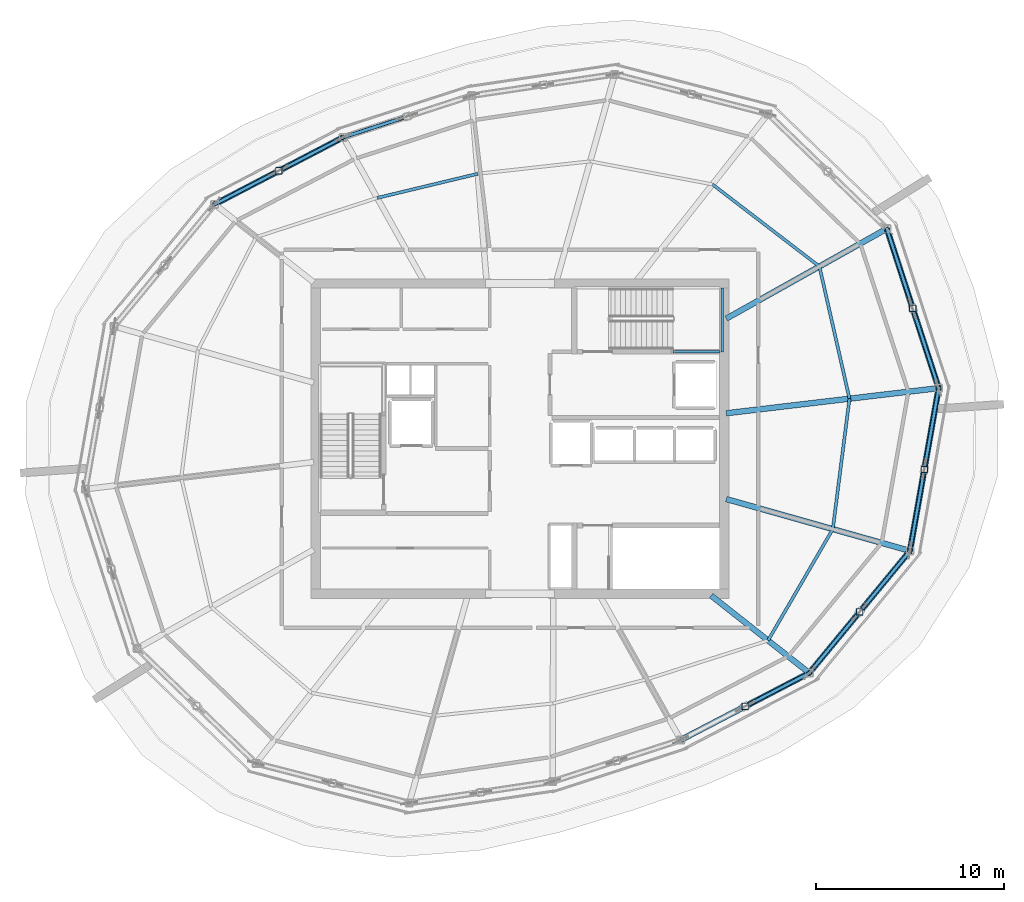
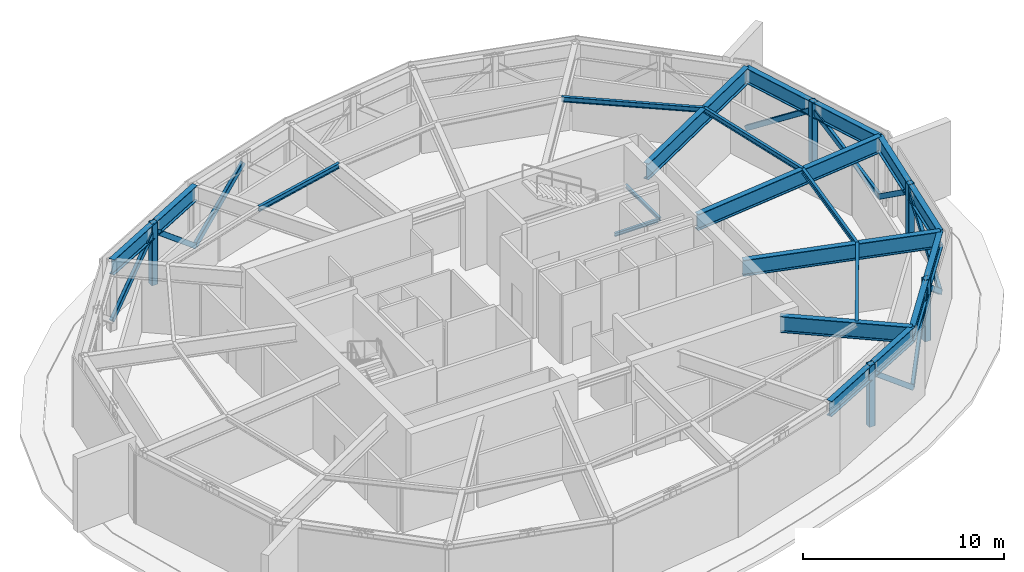
# One storey, part 6 of 14: 16 beams, 15 members.
"""IFC4 building model written with IfcOpenShell, lengths in metres."""

from ifc_helpers import new_model, si_unit, direction, frame, origin, origin_2d, place, context, subcontext, project, spatial, hollow_rectangle, i_section, extrude, material, material_profile, profile_set, type_object, element, save


model = new_model("IFC4")

# Units and contexts
model_context = context("Model", 3, precision=1e-05, world=origin(), true_north=direction((0.0, 1.0)))
body_context = subcontext(model_context, "Body", "Model", "MODEL_VIEW")
ifc_project = project(units=[si_unit("LENGTHUNIT", "METRE"), si_unit("AREAUNIT", "SQUARE_METRE"), si_unit("VOLUMEUNIT", "CUBIC_METRE"), si_unit("PLANEANGLEUNIT", "RADIAN"), si_unit("MASSUNIT", "GRAM", prefix="KILO")], contexts=[model_context])

# Site, building, storey
site_placement = place(None, origin())
site = spatial("IfcSite", under=ifc_project, at=site_placement, CompositionType="ELEMENT")
building_placement = place(site_placement, origin())
building = spatial("IfcBuilding", under=site, at=building_placement, Name="Kazma Halo Residences", CompositionType="ELEMENT")
storey_placement = place(building_placement, frame((0.0, 0.0, 351.5)))
storey = spatial("IfcBuildingStorey", under=building, at=storey_placement, Name="L88", CompositionType="ELEMENT", Elevation=351.5)

# Beams
ifc_material = material(Name="Steel S355", Category="steel")
ifc_material_profile_1 = material_profile(ifc_material, i_section(OverallWidth=0.30908203125, OverallDepth=0.931884765625, WebThickness=0.02099609375, FlangeThickness=0.034423828125, FilletRadius=0.02392578125, at=origin_2d()), Name="W920x313")
ifc_profile_set_1 = profile_set([ifc_material_profile_1], Name="Steel S355")
beam_type_1 = type_object("IfcBeamType", Name="BM-BELT-W920A", PredefinedType="BEAM", material=ifc_profile_set_1)
for number, where, z_axis, x_axis, name in (
    (1, (39.0234375, 58.02880859375, 3.75390625), (-0.886940838721, -0.461883046461, 0.0), (0.461883046461, -0.886940838721, 0.0), "L88 perimeter ring beam 05"),
    (2, (56.9765625, 25.97119140625, 3.75390625), (0.886940838721, 0.461883046461, 0.0), (-0.461883046461, 0.886940838721, 0.0), "L88 perimeter ring beam 13"),
):
    element("IfcBeam", number, at=place(storey_placement, frame(where, z_axis=z_axis, x_axis=x_axis)), inside=storey, type_object=beam_type_1, Name=name, PredefinedType="BEAM", context=body_context, shape_type="SweptSolid", body=[
        extrude(i_section(OverallWidth=0.30908203125, OverallDepth=0.931884765625, WebThickness=0.02099609375, FlangeThickness=0.034423828125, FilletRadius=0.02392578125, at=origin_2d()), origin(), (0.0, 0.0, 1.0), 7.71044921875),
    ])
beam_1_placement = place(storey_placement, frame((63.815185546875, 29.532470703125, 3.75390625), z_axis=(0.636005014199, 0.77168492399, 0.0), x_axis=(-0.77168492399, 0.636005014199, 0.0)))
element("IfcBeam", 3, at=beam_1_placement, inside=storey, type_object=beam_type_1, Name="L88 perimeter ring beam 14", PredefinedType="BEAM", context=body_context, shape_type="SweptSolid", body=[
    extrude(i_section(OverallWidth=0.30908203125, OverallDepth=0.931884765625, WebThickness=0.02099609375, FlangeThickness=0.034423828125, FilletRadius=0.02392578125, at=origin_2d()), origin(), (0.0, 0.0, 1.0), 8.41943359375),
])
beam_2_placement = place(storey_placement, frame((69.169921875, 36.029541015625, 3.75390625), z_axis=(0.173642734291, 0.984808712811, 0.0), x_axis=(-0.984808712811, 0.173642734291, 0.0)))
element("IfcBeam", 4, at=beam_2_placement, inside=storey, type_object=beam_type_1, Name="L88 perimeter ring beam 15", PredefinedType="BEAM", context=body_context, shape_type="SweptSolid", body=[
    extrude(i_section(OverallWidth=0.30908203125, OverallDepth=0.931884765625, WebThickness=0.02099609375, FlangeThickness=0.034423828125, FilletRadius=0.02392578125, at=origin_2d()), origin(), (0.0, 0.0, 1.0), 8.790283203125),
])
beam_3_placement = place(storey_placement, frame((70.6962890625, 44.686279296875, 3.75390625), z_axis=(-0.309015498459, 0.951057002346, 0.0), x_axis=(-0.951057002346, -0.309015498459, 0.0)))
element("IfcBeam", 5, at=beam_3_placement, inside=storey, type_object=beam_type_1, Name="L88 perimeter ring beam 16", PredefinedType="BEAM", context=body_context, shape_type="SweptSolid", body=[
    extrude(i_section(OverallWidth=0.30908203125, OverallDepth=0.931884765625, WebThickness=0.02099609375, FlangeThickness=0.034423828125, FilletRadius=0.02392578125, at=origin_2d()), origin(), (0.0, 0.0, 1.0), 8.91748046875),
])
ifc_material_profile_2 = material_profile(ifc_material, i_section(OverallWidth=0.300048828125, OverallDepth=0.98193359375, WebThickness=0.0166015625, FlangeThickness=0.032958984375, FilletRadius=0.02587890625, at=origin_2d()), Name="W1000x296")
ifc_profile_set_2 = profile_set([ifc_material_profile_2], Name="Steel S355")
beam_type_2 = type_object("IfcBeamType", Name="BM-OUTR-W1000C", PredefinedType="BEAM", material=ifc_profile_set_2)
beam_4_placement = place(storey_placement, frame((59.39990234375, 48.38427734375, 3.72900390625), z_axis=(0.872500487018, 0.488613241894, 0.0), x_axis=(-0.488613241894, 0.872500487018, 0.0)))
element("IfcBeam", 6, at=beam_4_placement, inside=storey, type_object=beam_type_2, Name="L88 radial floor beam 01", PredefinedType="BEAM", context=body_context, shape_type="SweptSolid", body=[
    extrude(i_section(OverallWidth=0.300048828125, OverallDepth=0.98193359375, WebThickness=0.0166015625, FlangeThickness=0.032958984375, FilletRadius=0.02587890625, at=origin_2d()), origin(), (0.0, 0.0, 1.0), 9.788818359375),
])
beam_5_placement = place(storey_placement, frame((58.591796875, 33.64990234375, 3.72900390625), z_axis=(0.785342950436, -0.619060942234, 0.0), x_axis=(0.619060942234, 0.785342950436, 0.0)))
element("IfcBeam", 7, at=beam_5_placement, inside=storey, type_object=beam_type_2, Name="L88 radial floor beam 14", PredefinedType="BEAM", context=body_context, shape_type="SweptSolid", body=[
    extrude(i_section(OverallWidth=0.300048828125, OverallDepth=0.98193359375, WebThickness=0.0166015625, FlangeThickness=0.032958984375, FilletRadius=0.02587890625, at=origin_2d()), origin(), (0.0, 0.0, 1.0), 6.651123046875),
])
beam_6_placement = place(storey_placement, frame((59.39990234375, 38.784912109375, 3.72900390625), z_axis=(0.962456764872, -0.271435030445, 0.0), x_axis=(0.271435030445, 0.962456764872, 0.0)))
element("IfcBeam", 8, at=beam_6_placement, inside=storey, type_object=beam_type_2, Name="L88 radial floor beam 15", PredefinedType="BEAM", context=body_context, shape_type="SweptSolid", body=[
    extrude(i_section(OverallWidth=0.300048828125, OverallDepth=0.98193359375, WebThickness=0.0166015625, FlangeThickness=0.032958984375, FilletRadius=0.02587890625, at=origin_2d()), origin(), (0.0, 0.0, 1.0), 10.151123046875),
])
beam_7_placement = place(storey_placement, frame((59.39990234375, 43.349365234375, 3.72900390625), z_axis=(0.993069497533, 0.117528605327, 0.0), x_axis=(-0.117528605327, 0.993069497533, 0.0)))
element("IfcBeam", 9, at=beam_7_placement, inside=storey, type_object=beam_type_2, Name="L88 radial floor beam 16", PredefinedType="BEAM", context=body_context, shape_type="SweptSolid", body=[
    extrude(i_section(OverallWidth=0.300048828125, OverallDepth=0.98193359375, WebThickness=0.0166015625, FlangeThickness=0.032958984375, FilletRadius=0.02587890625, at=origin_2d()), origin(), (0.0, 0.0, 1.0), 11.375244140625),
])
ifc_material_profile_3 = material_profile(ifc_material, i_section(OverallWidth=0.1650390625, OverallDepth=0.31005859375, WebThickness=0.005859375, FlangeThickness=0.009765625, FilletRadius=0.011962890625, at=origin_2d()), Name="W310x38.7")
ifc_profile_set_3 = profile_set([ifc_material_profile_3], Name="Steel S355")
beam_type_3 = type_object("IfcBeamType", Name="BM-SEC-W310B", PredefinedType="JOIST", material=ifc_profile_set_3)
beam_8_placement = place(storey_placement, frame((64.353515625, 51.158447265625, 4.06494140625), z_axis=(-0.793314295729, 0.608812309494, 0.0), x_axis=(-0.608812309494, -0.793314295729, 0.0)))
element("IfcBeam", 10, at=beam_8_placement, inside=storey, type_object=beam_type_3, Name="L88 circumferential floor joist 01", PredefinedType="JOIST", context=body_context, shape_type="SweptSolid", body=[
    extrude(i_section(OverallWidth=0.1650390625, OverallDepth=0.31005859375, WebThickness=0.005859375, FlangeThickness=0.009765625, FilletRadius=0.011962890625, at=origin_2d()), origin(), (0.0, 0.0, 1.0), 7.17333984375),
])
beam_9_placement = place(storey_placement, frame((46.1806640625, 56.08837890625, 4.06494140625), z_axis=(-0.972370386067, -0.233443424194, 0.0), x_axis=(0.233443424194, -0.972370386067, 0.0)))
element("IfcBeam", 11, at=beam_9_placement, inside=storey, type_object=beam_type_3, Name="L88 circumferential floor joist 04", PredefinedType="JOIST", context=body_context, shape_type="SweptSolid", body=[
    extrude(i_section(OverallWidth=0.1650390625, OverallDepth=0.31005859375, WebThickness=0.005859375, FlangeThickness=0.009765625, FilletRadius=0.011962890625, at=origin_2d()), origin(), (0.0, 0.0, 1.0), 5.503173828125),
])
beam_10_placement = place(storey_placement, frame((61.621337890625, 31.26171875, 4.06494140625), z_axis=(0.502650174973, 0.864489908327, 0.0), x_axis=(-0.864489908327, 0.502650174973, 0.0)))
element("IfcBeam", 12, at=beam_10_placement, inside=storey, type_object=beam_type_3, Name="L88 circumferential floor joist 14", PredefinedType="JOIST", context=body_context, shape_type="SweptSolid", body=[
    extrude(i_section(OverallWidth=0.1650390625, OverallDepth=0.31005859375, WebThickness=0.005859375, FlangeThickness=0.009765625, FilletRadius=0.011962890625, at=origin_2d()), origin(), (0.0, 0.0, 1.0), 6.853759765625),
])
beam_11_placement = place(storey_placement, frame((65.06640625, 37.186767578125, 4.06494140625), z_axis=(0.126603386769, 0.991953417484, 0.0), x_axis=(-0.991953417484, 0.126603386769, 0.0)))
element("IfcBeam", 13, at=beam_11_placement, inside=storey, type_object=beam_type_3, Name="L88 circumferential floor joist 15", PredefinedType="JOIST", context=body_context, shape_type="SweptSolid", body=[
    extrude(i_section(OverallWidth=0.1650390625, OverallDepth=0.31005859375, WebThickness=0.005859375, FlangeThickness=0.009765625, FilletRadius=0.011962890625, at=origin_2d()), origin(), (0.0, 0.0, 1.0), 6.994384765625),
])
beam_12_placement = place(storey_placement, frame((65.951904296875, 44.124755859375, 4.06494140625), z_axis=(-0.221597696416, 0.975138175308, 0.0), x_axis=(-0.975138175308, -0.221597696416, 0.0)))
element("IfcBeam", 14, at=beam_12_placement, inside=storey, type_object=beam_type_3, Name="L88 circumferential floor joist 16", PredefinedType="JOIST", context=body_context, shape_type="SweptSolid", body=[
    extrude(i_section(OverallWidth=0.1650390625, OverallDepth=0.31005859375, WebThickness=0.005859375, FlangeThickness=0.009765625, FilletRadius=0.011962890625, at=origin_2d()), origin(), (0.0, 0.0, 1.0), 7.213134765625),
])
ifc_material_profile_4 = material_profile(ifc_material, i_section(OverallWidth=0.133056640625, OverallDepth=0.20703125, WebThickness=0.005859375, FlangeThickness=0.00830078125, FilletRadius=0.010009765625, at=origin_2d()), Name="W200x26.6")
ifc_profile_set_4 = profile_set([ifc_material_profile_4], Name="Steel S355")
beam_type_4 = type_object("IfcBeamType", Name="BM-TRIM-W200", PredefinedType="BEAM", material=ifc_profile_set_4)
beam_13_placement = place(storey_placement, frame((56.56005859375, 46.6201171875, 1.945068359375), z_axis=(1.0, 0.0, 0.0), x_axis=(0.0, 1.0, 0.0)))
element("IfcBeam", 15, at=beam_13_placement, inside=storey, type_object=beam_type_4, Name="L88 ST-02 landing south wall ledger", PredefinedType="BEAM", context=body_context, shape_type="SweptSolid", body=[
    extrude(i_section(OverallWidth=0.133056640625, OverallDepth=0.20703125, WebThickness=0.005859375, FlangeThickness=0.00830078125, FilletRadius=0.010009765625, at=origin_2d()), origin(), (0.0, 0.0, 1.0), 2.510009765625),
])
beam_14_placement = place(storey_placement, frame((59.18994140625, 46.6201171875, 1.945068359375), z_axis=(0.0, 1.0, 0.0), x_axis=(-1.0, 0.0, 0.0)))
element("IfcBeam", 16, at=beam_14_placement, inside=storey, type_object=beam_type_4, Name="L88 ST-02 landing end wall ledger", PredefinedType="BEAM", context=body_context, shape_type="SweptSolid", body=[
    extrude(i_section(OverallWidth=0.133056640625, OverallDepth=0.20703125, WebThickness=0.005859375, FlangeThickness=0.00830078125, FilletRadius=0.010009765625, at=origin_2d()), origin(), (0.0, 0.0, 1.0), 3.39990234375),
])

# Members
ifc_material_profile_5 = material_profile(ifc_material, hollow_rectangle(XDim=0.199951171875, YDim=0.300048828125, WallThickness=0.012451171875, InnerFilletRadius=0.012451171875, OuterFilletRadius=0.02490234375, at=origin_2d()), Name="RHS300x200x12.5")
ifc_profile_set_5 = profile_set([ifc_material_profile_5], Name="Steel S355")
member_type_1 = type_object("IfcMemberType", Name="MBR-BELT-RHS300", PredefinedType="BRACE", material=ifc_profile_set_5)
member_1_placement = place(storey_placement, frame((39.0234375, 58.02880859375, 0.47998046875), z_axis=(0.707481082682, 0.229847743235, 0.668311703158), x_axis=(-0.308984413026, 0.951067102, 0.0)))
element("IfcMember", 17, at=member_1_placement, inside=storey, type_object=member_type_1, Name="L88 belt-truss chevron diagonal 04B", PredefinedType="BRACE", context=body_context, shape_type="SweptSolid", body=[
    extrude(hollow_rectangle(XDim=0.199951171875, YDim=0.300048828125, WallThickness=0.012451171875, InnerFilletRadius=0.012451171875, OuterFilletRadius=0.02490234375, at=origin_2d()), origin(), (0.0, 0.0, 1.0), 4.818115234375),
])
for number, where, z_axis, x_axis, name in (
    (18, (39.0234375, 58.02880859375, 0.47998046875), (-0.680711346103, -0.354523995607, 0.641049763923), (0.46192092707, -0.886921110998, 0.0), "L88 belt-truss chevron diagonal 05A"),
    (19, (32.184814453125, 54.467529296875, 0.47998046875), (0.680749156661, 0.354469770065, 0.641039599257), (-0.461845166029, 0.886960564295, 0.0), "L88 belt-truss chevron diagonal 05B"),
):
    element("IfcMember", number, at=place(storey_placement, frame(where, z_axis=z_axis, x_axis=x_axis)), inside=storey, type_object=member_type_1, Name=name, PredefinedType="BRACE", context=body_context, shape_type="SweptSolid", body=[
        extrude(hollow_rectangle(XDim=0.199951171875, YDim=0.300048828125, WallThickness=0.012451171875, InnerFilletRadius=0.012451171875, OuterFilletRadius=0.02490234375, at=origin_2d()), origin(), (0.0, 0.0, 1.0), 5.02294921875),
    ])
member_2_placement = place(storey_placement, frame((63.815185546875, 29.532470703125, 0.47998046875), z_axis=(-0.680737427745, -0.354512266027, 0.641028554515), x_axis=(0.46189498328, -0.886934622405, 0.0)))
element("IfcMember", 20, at=member_2_placement, inside=storey, type_object=member_type_1, Name="L88 belt-truss chevron diagonal 13B", PredefinedType="BRACE", context=body_context, shape_type="SweptSolid", body=[
    extrude(hollow_rectangle(XDim=0.199951171875, YDim=0.300048828125, WallThickness=0.012451171875, InnerFilletRadius=0.012451171875, OuterFilletRadius=0.02490234375, at=origin_2d()), origin(), (0.0, 0.0, 1.0), 5.023193359375),
])
member_3_placement = place(storey_placement, frame((63.815185546875, 29.532470703125, 0.47998046875), z_axis=(0.505151215091, 0.612943832573, 0.607554201699), x_axis=(-0.771699155965, 0.635987745702, 0.0)))
element("IfcMember", 21, at=member_3_placement, inside=storey, type_object=member_type_1, Name="L88 belt-truss chevron diagonal 14A", PredefinedType="BRACE", context=body_context, shape_type="SweptSolid", body=[
    extrude(hollow_rectangle(XDim=0.199951171875, YDim=0.300048828125, WallThickness=0.012451171875, InnerFilletRadius=0.012451171875, OuterFilletRadius=0.02490234375, at=origin_2d()), origin(), (0.0, 0.0, 1.0), 5.2998046875),
])
member_4_placement = place(storey_placement, frame((69.169921875, 36.029541015625, 0.47998046875), z_axis=(-0.505185524295, -0.612929569278, 0.607540063821), x_axis=(0.771670692154, -0.636022281741, 0.0)))
element("IfcMember", 22, at=member_4_placement, inside=storey, type_object=member_type_1, Name="L88 belt-truss chevron diagonal 14B", PredefinedType="BRACE", context=body_context, shape_type="SweptSolid", body=[
    extrude(hollow_rectangle(XDim=0.199951171875, YDim=0.300048828125, WallThickness=0.012451171875, InnerFilletRadius=0.012451171875, OuterFilletRadius=0.02490234375, at=origin_2d()), origin(), (0.0, 0.0, 1.0), 5.300048828125),
])
for number, where, z_axis, x_axis, name in (
    (23, (69.169921875, 36.029541015625, 0.47998046875), (0.140073919434, 0.794424349855, 0.590990058674), (-0.984808712811, 0.173642734291, 0.0), "L88 belt-truss chevron diagonal 15A"),
    (24, (70.6962890625, 44.686279296875, 0.47998046875), (-0.140073919434, -0.794424349855, 0.590990058674), (0.984808712811, -0.173642734291, 0.0), "L88 belt-truss chevron diagonal 15B"),
):
    element("IfcMember", number, at=place(storey_placement, frame(where, z_axis=z_axis, x_axis=x_axis)), inside=storey, type_object=member_type_1, Name=name, PredefinedType="BRACE", context=body_context, shape_type="SweptSolid", body=[
        extrude(hollow_rectangle(XDim=0.199951171875, YDim=0.300048828125, WallThickness=0.012451171875, InnerFilletRadius=0.012451171875, OuterFilletRadius=0.02490234375, at=origin_2d()), origin(), (0.0, 0.0, 1.0), 5.448486328125),
    ])
for number, where, z_axis, x_axis, name in (
    (25, (70.6962890625, 44.686279296875, 0.47998046875), (-0.250497030844, 0.771023024761, 0.58546966858), (-0.95106504825, -0.308990734485, 0.0), "L88 belt-truss chevron diagonal 16A"),
    (26, (67.940673828125, 53.167236328125, 0.47998046875), (0.25053863544, -0.771014450559, 0.585463157834), (0.951048955934, 0.309040261805, 0.0), "L88 belt-truss chevron diagonal 16B"),
):
    element("IfcMember", number, at=place(storey_placement, frame(where, z_axis=z_axis, x_axis=x_axis)), inside=storey, type_object=member_type_1, Name=name, PredefinedType="BRACE", context=body_context, shape_type="SweptSolid", body=[
        extrude(hollow_rectangle(XDim=0.199951171875, YDim=0.300048828125, WallThickness=0.012451171875, InnerFilletRadius=0.012451171875, OuterFilletRadius=0.02490234375, at=origin_2d()), origin(), (0.0, 0.0, 1.0), 5.499755859375),
    ])
ifc_material_profile_6 = material_profile(ifc_material, hollow_rectangle(XDim=0.35009765625, YDim=0.35009765625, WallThickness=0.01611328125, InnerFilletRadius=0.01611328125, OuterFilletRadius=0.031982421875, at=origin_2d()), Name="SHS350x350x16")
ifc_profile_set_6 = profile_set([ifc_material_profile_6], Name="Steel S355")
member_type_2 = type_object("IfcMemberType", Name="MBR-POST-SHS350", PredefinedType="STRUT", material=ifc_profile_set_6)
for number, where, z_axis, x_axis, name in (
    (27, (35.604248046875, 56.248046875, 0.47998046875), (0.0, 0.0, 1.0), (1.0, 0.0, 0.0), "L88 belt-truss web post 05"),
    (28, (60.395751953125, 27.751708984375, 0.47998046875), (0.0, 0.0, 1.0), (1.0, 0.0, 0.0), "L88 belt-truss web post 13"),
    (29, (66.492431640625, 32.781005859375, 0.47998046875), (0.0, 0.0, 1.0), (1.0, 0.0, 0.0), "L88 belt-truss web post 14"),
    (30, (69.93310546875, 40.35791015625, 0.47998046875), (0.0, 0.0, 1.0), (1.0, 0.0, 0.0), "L88 belt-truss web post 15"),
    (31, (69.318603515625, 48.9267578125, 0.47998046875), (0.0, 0.0, 1.0), (1.0, 0.0, 0.0), "L88 belt-truss web post 16"),
):
    element("IfcMember", number, at=place(storey_placement, frame(where, z_axis=z_axis, x_axis=x_axis)), inside=storey, type_object=member_type_2, Name=name, PredefinedType="STRUT", context=body_context, shape_type="SweptSolid", body=[
        extrude(hollow_rectangle(XDim=0.35009765625, YDim=0.35009765625, WallThickness=0.01611328125, InnerFilletRadius=0.01611328125, OuterFilletRadius=0.031982421875, at=origin_2d()), origin(), (0.0, 0.0, 1.0), 3.739990234375),
    ])

save(model, "model.ifc")
